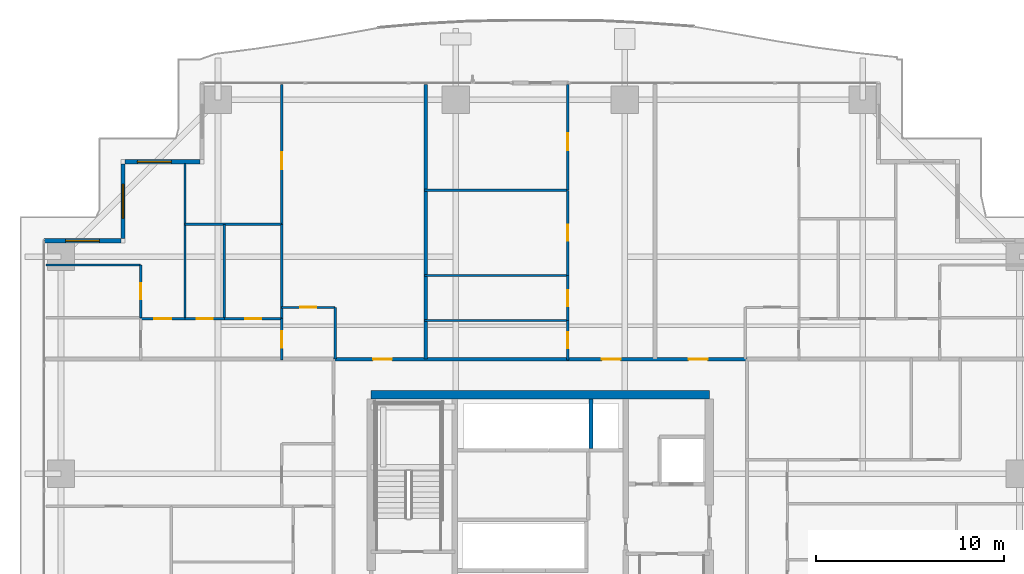
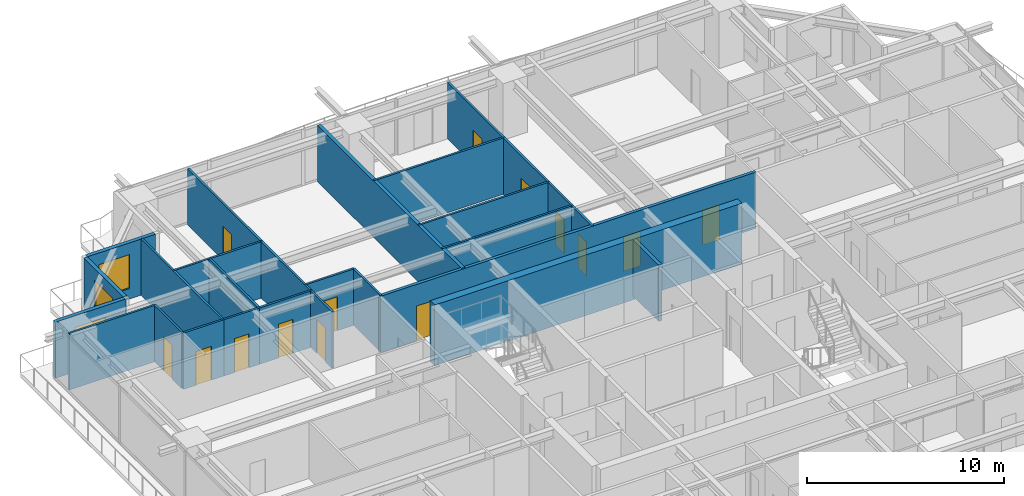
# One storey, part 30 of 38: 27 walls, 14 doors, 3 windows, 17 openings.
"""IFC4 building model written with IfcOpenShell, lengths in metres."""

from ifc_helpers import new_model, si_unit, direction, frame, frame_2d, origin, place, context, subcontext, project, spatial, rectangle, extrude, source, transform, mapped, material, layer, layer_set, type_object, element, fill, save


model = new_model("IFC4")

# Units and contexts
model_context = context("Model", 3, precision=1e-05, world=origin(), true_north=direction((0.0, 1.0)))
body_context = subcontext(model_context, "Body", "Model", "MODEL_VIEW")
ifc_project = project(units=[si_unit("LENGTHUNIT", "METRE"), si_unit("AREAUNIT", "SQUARE_METRE"), si_unit("VOLUMEUNIT", "CUBIC_METRE"), si_unit("PLANEANGLEUNIT", "RADIAN"), si_unit("MASSUNIT", "GRAM", prefix="KILO")], contexts=[model_context])

# Site, building, storey
site_placement = place(None, origin())
site = spatial("IfcSite", under=ifc_project, at=site_placement, CompositionType="ELEMENT")
building_placement = place(site_placement, origin())
building = spatial("IfcBuilding", under=site, at=building_placement, Name="Serunith Strait Residences", CompositionType="ELEMENT")
storey_placement = place(building_placement, frame((0.0, 0.0, 30.449951171875)))
storey = spatial("IfcBuildingStorey", under=building, at=storey_placement, Name="L06", CompositionType="ELEMENT", Elevation=30.449951171875)

# Wall, opening, window
ifc_material_1 = material(Name="Pale-Champagne Aluminium Insulated Panel", Category="aluminium")
ifc_layer_1 = layer(ifc_material_1, 0.219970703125, Name="Pale-Champagne Aluminium Insulated Panel")
ifc_layer_set_1 = layer_set([ifc_layer_1], Name="Pale-Champagne Aluminium Insulated Panel")
wall_type_1 = type_object("IfcWallType", Name="EW-ALUM-220", PredefinedType="ELEMENTEDWALL", material=ifc_layer_set_1)
wall_1_placement = place(storey_placement, frame((14.2900390625, 46.0, 0.0), z_axis=(0.0, 0.0, 1.0), x_axis=(-1.0, 0.0, 0.0)))
wall_1 = element("IfcWall", 1, at=wall_1_placement, inside=storey, type_object=wall_type_1, Name="L06 Girih Serrated Corner Wall 13", PredefinedType="ELEMENTEDWALL", context=body_context, shape_type="SweptSolid", body=[
    extrude(rectangle(XDim=3.97998046875, YDim=0.219970703125, at=frame_2d((1.989990234375, 0.0))), origin(), (0.0, 0.0, 1.0), 3.47509765625),
])
opening_1_placement = place(wall_1_placement, frame((1.52587890625, 0.0, 0.64990234375)))
opening_1 = element("IfcOpeningElement", 2, at=opening_1_placement, cuts=wall_1, Name="Opening W-01", PredefinedType="OPENING", context=body_context, shape_type="SweptSolid", body=[
    extrude(rectangle(XDim=1.800048828125, YDim=2.10009765625, at=frame_2d((0.89990234375, 1.050048828125))), frame((0.0, 0.1201171875, 0.0), z_axis=(0.0, -1.0, 0.0), x_axis=(1.0, 0.0, 0.0)), (0.0, 0.0, 1.0), 0.239990234375),
])
ifc_material_2 = material(Name="Ceramic-Fritted Operable Aluminium Window Glass", Category="aluminium")
window_type = type_object("IfcWindowType", Name="WIN-C1", PartitioningType="DOUBLE_PANEL_VERTICAL", PredefinedType="WINDOW", material=ifc_material_2)
shared_shape_1 = source(origin(), body_context, "Body", "SweptSolid", [
    extrude(rectangle(XDim=1.800048828125, YDim=2.10009765625, at=frame_2d((0.89990234375, 1.050048828125))), frame((0.0, 0.030029296875, 0.0), z_axis=(0.0, -1.0, 0.0), x_axis=(1.0, 0.0, 0.0)), (0.0, 0.0, 1.0), 0.06005859375),
])
window_1_placement = place(opening_1_placement, origin())
window_1 = element("IfcWindow", 3, at=window_1_placement, inside=storey, type_object=window_type, Name="L06 Corner Operable Fritted Window 13", OverallHeight=2.10009765625, OverallWidth=1.800048828125, PartitioningType="SINGLE_PANEL", PredefinedType="WINDOW", context=body_context, shape_type="MappedRepresentation", body=[
    mapped(shared_shape_1, transform((0.0, 0.0, 0.0), scale=1.0)),
])
fill(opening_1, window_1)

wall_2_placement = place(storey_placement, frame((10.199951171875, 45.889892578125, 0.0), z_axis=(0.0, 0.0, 1.0), x_axis=(0.0, -1.0, 0.0)))
wall_2 = element("IfcWall", 4, at=wall_2_placement, inside=storey, type_object=wall_type_1, Name="L06 Girih Serrated Corner Wall 14", PredefinedType="ELEMENTEDWALL", context=body_context, shape_type="SweptSolid", body=[
    extrude(rectangle(XDim=3.97998046875, YDim=0.219970703125, at=frame_2d((1.989990234375, 0.0))), origin(), (0.0, 0.0, 1.0), 3.47509765625),
])
opening_2_placement = place(wall_2_placement, frame((1.090087890625, 0.0, 0.64990234375)))
opening_2 = element("IfcOpeningElement", 5, at=opening_2_placement, cuts=wall_2, Name="Opening W-01", PredefinedType="OPENING", context=body_context, shape_type="SweptSolid", body=[
    extrude(rectangle(XDim=1.800048828125, YDim=2.10009765625, at=frame_2d((0.89990234375, 1.050048828125))), frame((0.0, 0.1201171875, 0.0), z_axis=(0.0, -1.0, 0.0), x_axis=(1.0, 0.0, 0.0)), (0.0, 0.0, 1.0), 0.239990234375),
])
window_2_placement = place(opening_2_placement, origin())
window_2 = element("IfcWindow", 6, at=window_2_placement, inside=storey, type_object=window_type, Name="L06 Corner Operable Fritted Window 14", OverallHeight=2.10009765625, OverallWidth=1.800048828125, PartitioningType="SINGLE_PANEL", PredefinedType="WINDOW", context=body_context, shape_type="MappedRepresentation", body=[
    mapped(shared_shape_1, transform((0.0, 0.0, 0.0), scale=1.0)),
])
fill(opening_2, window_2)

wall_3_placement = place(storey_placement, frame((10.090087890625, 41.800048828125, 0.0), z_axis=(0.0, 0.0, 1.0), x_axis=(-1.0, 0.0, 0.0)))
wall_3 = element("IfcWall", 7, at=wall_3_placement, inside=storey, type_object=wall_type_1, Name="L06 Girih Serrated Corner Wall 15", PredefinedType="ELEMENTEDWALL", context=body_context, shape_type="SweptSolid", body=[
    extrude(rectangle(XDim=4.090087890625, YDim=0.219970703125, at=frame_2d((2.044921875, 0.0))), origin(), (0.0, 0.0, 1.0), 3.47509765625),
])
opening_3_placement = place(wall_3_placement, frame((1.14501953125, 0.0, 0.64990234375)))
opening_3 = element("IfcOpeningElement", 8, at=opening_3_placement, cuts=wall_3, Name="Opening W-01", PredefinedType="OPENING", context=body_context, shape_type="SweptSolid", body=[
    extrude(rectangle(XDim=1.800048828125, YDim=2.10009765625, at=frame_2d((0.89990234375, 1.050048828125))), frame((0.0, 0.1201171875, 0.0), z_axis=(0.0, -1.0, 0.0), x_axis=(1.0, 0.0, 0.0)), (0.0, 0.0, 1.0), 0.239990234375),
])
window_3_placement = place(opening_3_placement, origin())
window_3 = element("IfcWindow", 9, at=window_3_placement, inside=storey, type_object=window_type, Name="L06 Corner Operable Fritted Window 15", OverallHeight=2.10009765625, OverallWidth=1.800048828125, PartitioningType="SINGLE_PANEL", PredefinedType="WINDOW", context=body_context, shape_type="MappedRepresentation", body=[
    mapped(shared_shape_1, transform((0.0, 0.0, 0.0), scale=1.0)),
])
fill(opening_3, window_3)

# Wall, openings, doors
ifc_material_3 = material(Name="Fire-rated acoustic gypsum partition")
ifc_layer_2 = layer(ifc_material_3, 0.179931640625, Name="Fire-rated acoustic gypsum partition")
ifc_layer_set_2 = layer_set([ifc_layer_2], Name="Fire-rated acoustic gypsum partition")
wall_type_2 = type_object("IfcWallType", Name="IW-CORR-180", PredefinedType="PARTITIONING", material=ifc_layer_set_2)
wall_4_placement = place(storey_placement, frame((21.402099609375, 35.5, 0.0), z_axis=(0.0, 0.0, 1.0), x_axis=(1.0, 0.0, 0.0)))
wall_4 = element("IfcWall", 10, at=wall_4_placement, inside=storey, type_object=wall_type_2, Name="L06 Partition Wall 023", PredefinedType="PARTITIONING", context=body_context, shape_type="SweptSolid", body=[
    extrude(rectangle(XDim=21.995849609375, YDim=0.179931640625, at=frame_2d((10.998046875, 0.0))), origin(), (0.0, 0.0, 1.0), 3.489990234375),
])
opening_4_placement = place(wall_4_placement, frame((2.10009765625, 0.0, 0.0)))
opening_4 = element("IfcOpeningElement", 11, at=opening_4_placement, cuts=wall_4, Name="Opening D-APT1000", PredefinedType="OPENING", context=body_context, shape_type="SweptSolid", body=[
    extrude(rectangle(XDim=1.0, YDim=2.14990234375, at=frame_2d((0.5, 1.074951171875))), frame((0.0, 0.10009765625, 0.0), z_axis=(0.0, -1.0, 0.0), x_axis=(1.0, 0.0, 0.0)), (0.0, 0.0, 1.0), 0.199951171875),
])
opening_5_placement = place(wall_4_placement, frame((14.277099609375, 0.0, 0.0)))
opening_5 = element("IfcOpeningElement", 12, at=opening_5_placement, cuts=wall_4, Name="Opening D-APT1000", PredefinedType="OPENING", context=body_context, shape_type="SweptSolid", body=[
    extrude(rectangle(XDim=1.0, YDim=2.14990234375, at=frame_2d((0.5, 1.074951171875))), frame((0.0, 0.10009765625, 0.0), z_axis=(0.0, -1.0, 0.0), x_axis=(1.0, 0.0, 0.0)), (0.0, 0.0, 1.0), 0.199951171875),
])
opening_6_placement = place(wall_4_placement, frame((18.89599609375, 0.0, 0.0)))
opening_6 = element("IfcOpeningElement", 13, at=opening_6_placement, cuts=wall_4, Name="Opening D-APT1000", PredefinedType="OPENING", context=body_context, shape_type="SweptSolid", body=[
    extrude(rectangle(XDim=1.0, YDim=2.14990234375, at=frame_2d((0.5, 1.074951171875))), frame((0.0, 0.10009765625, 0.0), z_axis=(0.0, -1.0, 0.0), x_axis=(1.0, 0.0, 0.0)), (0.0, 0.0, 1.0), 0.199951171875),
])
ifc_material_4 = material(Name="Solid timber engineered fire door", Category="wood")
door_type_1 = type_object("IfcDoorType", Name="ID-APT-1000", OperationType="NOTDEFINED", PredefinedType="DOOR", material=ifc_material_4)
shared_shape_2 = source(origin(), body_context, "Body", "SweptSolid", [
    extrude(rectangle(XDim=1.0, YDim=2.14990234375, at=frame_2d((0.5, 1.074951171875))), frame((0.0, 0.02490234375, 0.0), z_axis=(0.0, -1.0, 0.0), x_axis=(1.0, 0.0, 0.0)), (0.0, 0.0, 1.0), 0.050048828125),
])
door_1_placement = place(opening_4_placement, origin())
door_1 = element("IfcDoor", 14, at=door_1_placement, inside=storey, type_object=door_type_1, Name="L06 Unit 04 Entrance Door", OperationType="SINGLE_SWING_RIGHT", OverallHeight=2.14990234375, OverallWidth=1.0, PredefinedType="DOOR", context=body_context, shape_type="MappedRepresentation", body=[
    mapped(shared_shape_2, transform((0.0, 0.0, 0.0), scale=1.0)),
])
fill(opening_4, door_1)
door_2_placement = place(opening_5_placement, origin())
door_2 = element("IfcDoor", 15, at=door_2_placement, inside=storey, type_object=door_type_1, Name="L06 Unit 05 Entrance Door", OperationType="SINGLE_SWING_LEFT", OverallHeight=2.14990234375, OverallWidth=1.0, PredefinedType="DOOR", context=body_context, shape_type="MappedRepresentation", body=[
    mapped(shared_shape_2, transform((0.0, 0.0, 0.0), scale=1.0)),
])
fill(opening_5, door_2)
door_3_placement = place(opening_6_placement, origin())
door_3 = element("IfcDoor", 16, at=door_3_placement, inside=storey, type_object=door_type_1, Name="L06 Unit 06 Entrance Door", OperationType="SINGLE_SWING_RIGHT", OverallHeight=2.14990234375, OverallWidth=1.0, PredefinedType="DOOR", context=body_context, shape_type="MappedRepresentation", body=[
    mapped(shared_shape_2, transform((0.0, 0.0, 0.0), scale=1.0)),
])
fill(opening_6, door_3)

# Wall, opening, door
ifc_material_5 = material(Name="Lightweight steel-stud gypsum partition", Category="steel")
ifc_layer_3 = layer(ifc_material_5, 0.1201171875, Name="Lightweight steel-stud gypsum partition")
ifc_layer_set_3 = layer_set([ifc_layer_3], Name="Lightweight steel-stud gypsum partition")
wall_type_3 = type_object("IfcWallType", Name="IW-PART-120", PredefinedType="PARTITIONING", material=ifc_layer_set_3)
wall_5_placement = place(storey_placement, frame((18.639892578125, 38.25, 0.0), z_axis=(0.0, 0.0, 1.0), x_axis=(1.0, 0.0, 0.0)))
wall_5 = element("IfcWall", 17, at=wall_5_placement, inside=storey, type_object=wall_type_3, Name="L06 Partition Wall 063", PredefinedType="PARTITIONING", context=body_context, shape_type="SweptSolid", body=[
    extrude(rectangle(XDim=2.85009765625, YDim=0.1201171875, at=frame_2d((1.425048828125, 0.0))), origin(), (0.0, 0.0, 1.0), 3.489990234375),
])
opening_7_placement = place(wall_5_placement, frame((1.0, 0.0, 0.0)))
opening_7 = element("IfcOpeningElement", 18, at=opening_7_placement, cuts=wall_5, Name="Opening D-RM850", PredefinedType="OPENING", context=body_context, shape_type="SweptSolid", body=[
    extrude(rectangle(XDim=0.85009765625, YDim=2.10009765625, at=frame_2d((0.425048828125, 1.050048828125))), frame((0.0, 0.070068359375, 0.0), z_axis=(0.0, -1.0, 0.0), x_axis=(1.0, 0.0, 0.0)), (0.0, 0.0, 1.0), 0.14013671875),
])
ifc_material_6 = material(Name="Engineered timber flush study and kitchen door", Category="wood")
door_type_2 = type_object("IfcDoorType", Name="ID-ROOM-850", OperationType="NOTDEFINED", PredefinedType="DOOR", material=ifc_material_6)
shared_shape_3 = source(origin(), body_context, "Body", "SweptSolid", [
    extrude(rectangle(XDim=0.85009765625, YDim=2.10009765625, at=frame_2d((0.425048828125, 1.050048828125))), frame((0.0, 0.02490234375, 0.0), z_axis=(0.0, -1.0, 0.0), x_axis=(1.0, 0.0, 0.0)), (0.0, 0.0, 1.0), 0.050048828125),
])
door_4_placement = place(opening_7_placement, origin())
door_4 = element("IfcDoor", 19, at=door_4_placement, inside=storey, type_object=door_type_2, Name="L06 Kitchen 0604 Door", OperationType="SINGLE_SWING_LEFT", OverallHeight=2.10009765625, OverallWidth=0.85009765625, PredefinedType="DOOR", context=body_context, shape_type="MappedRepresentation", body=[
    mapped(shared_shape_3, transform((0.0, 0.0, 0.0), scale=1.0)),
])
fill(opening_7, door_4)

# Wall
wall_6_placement = place(storey_placement, frame((21.489990234375, 38.25, 0.0), z_axis=(0.0, 0.0, 1.0), x_axis=(0.0, -1.0, 0.0)))
element("IfcWall", 20, at=wall_6_placement, inside=storey, type_object=wall_type_3, Name="L06 Partition Wall 064", PredefinedType="PARTITIONING", context=body_context, shape_type="SweptSolid", body=[
    extrude(rectangle(XDim=2.748046875, YDim=0.1201171875, at=frame_2d((1.3740234375, 0.0))), origin(), (0.0, 0.0, 1.0), 3.489990234375),
])

# Wall, opening, door
wall_7_placement = place(storey_placement, frame((18.639892578125, 37.64990234375, 0.0), z_axis=(0.0, 0.0, 1.0), x_axis=(0.0, -1.0, 0.0)))
wall_7 = element("IfcWall", 21, at=wall_7_placement, inside=storey, type_object=wall_type_3, Name="L06 Partition Wall 065", PredefinedType="PARTITIONING", context=body_context, shape_type="SweptSolid", body=[
    extrude(rectangle(XDim=2.2099609375, YDim=0.1201171875, at=frame_2d((1.10498046875, 0.0))), origin(), (0.0, 0.0, 1.0), 3.489990234375),
])
opening_8_placement = place(wall_7_placement, frame((0.655029296875, 0.0, 0.0)))
opening_8 = element("IfcOpeningElement", 22, at=opening_8_placement, cuts=wall_7, Name="Opening D-RM900", PredefinedType="OPENING", context=body_context, shape_type="SweptSolid", body=[
    extrude(rectangle(XDim=0.89990234375, YDim=2.10009765625, at=frame_2d((0.449951171875, 1.050048828125))), frame((0.0, 0.070068359375, 0.0), z_axis=(0.0, -1.0, 0.0), x_axis=(1.0, 0.0, 0.0)), (0.0, 0.0, 1.0), 0.14013671875),
])
ifc_material_7 = material(Name="Engineered timber flush bedroom door", Category="wood")
door_type_3 = type_object("IfcDoorType", Name="ID-ROOM-900", OperationType="NOTDEFINED", PredefinedType="DOOR", material=ifc_material_7)
shared_shape_4 = source(origin(), body_context, "Body", "SweptSolid", [
    extrude(rectangle(XDim=0.89990234375, YDim=2.10009765625, at=frame_2d((0.449951171875, 1.050048828125))), frame((0.0, 0.02490234375, 0.0), z_axis=(0.0, -1.0, 0.0), x_axis=(1.0, 0.0, 0.0)), (0.0, 0.0, 1.0), 0.050048828125),
])
door_5_placement = place(opening_8_placement, origin())
door_5 = element("IfcDoor", 23, at=door_5_placement, inside=storey, type_object=door_type_3, Name="L06 Hall W 0604 Door", OperationType="SINGLE_SWING_RIGHT", OverallHeight=2.10009765625, OverallWidth=0.89990234375, PredefinedType="DOOR", context=body_context, shape_type="MappedRepresentation", body=[
    mapped(shared_shape_4, transform((0.0, 0.0, 0.0), scale=1.0)),
])
fill(opening_8, door_5)

wall_8_placement = place(storey_placement, frame((18.639892578125, 50.10498046875, 0.0), z_axis=(0.0, 0.0, 1.0), x_axis=(0.0, -1.0, 0.0)))
wall_8 = element("IfcWall", 24, at=wall_8_placement, inside=storey, type_object=wall_type_3, Name="L06 Partition Wall 066", PredefinedType="PARTITIONING", context=body_context, shape_type="SweptSolid", body=[
    extrude(rectangle(XDim=7.432861328125, YDim=0.1201171875, at=frame_2d((3.71630859375, 0.0))), origin(), (0.0, 0.0, 1.0), 3.489990234375),
])
opening_9_placement = place(wall_8_placement, frame((3.593017578125, 0.0, 0.0)))
opening_9 = element("IfcOpeningElement", 25, at=opening_9_placement, cuts=wall_8, Name="Opening D-RM900", PredefinedType="OPENING", context=body_context, shape_type="SweptSolid", body=[
    extrude(rectangle(XDim=0.89990234375, YDim=2.10009765625, at=frame_2d((0.449951171875, 1.050048828125))), frame((0.0, 0.070068359375, 0.0), z_axis=(0.0, -1.0, 0.0), x_axis=(1.0, 0.0, 0.0)), (0.0, 0.0, 1.0), 0.14013671875),
])
door_6_placement = place(opening_9_placement, origin())
door_6 = element("IfcDoor", 26, at=door_6_placement, inside=storey, type_object=door_type_3, Name="L06 Formal Dining Room 1 0604 Door", OperationType="SINGLE_SWING_LEFT", OverallHeight=2.10009765625, OverallWidth=0.89990234375, PredefinedType="DOOR", context=body_context, shape_type="MappedRepresentation", body=[
    mapped(shared_shape_4, transform((0.0, 0.0, 0.0), scale=1.0)),
])
fill(opening_9, door_6)

# Walls
wall_9_placement = place(storey_placement, frame((18.639892578125, 42.669921875, 0.0), z_axis=(0.0, 0.0, 1.0), x_axis=(0.0, -1.0, 0.0)))
element("IfcWall", 27, at=wall_9_placement, inside=storey, type_object=wall_type_3, Name="L06 Partition Wall 067", PredefinedType="PARTITIONING", context=body_context, shape_type="SweptSolid", body=[
    extrude(rectangle(XDim=5.017822265625, YDim=0.1201171875, at=frame_2d((2.5087890625, 0.0))), origin(), (0.0, 0.0, 1.0), 3.489990234375),
])
wall_10_placement = place(storey_placement, frame((13.489990234375, 42.672119140625, 0.0), z_axis=(0.0, 0.0, 1.0), x_axis=(1.0, 0.0, 0.0)))
element("IfcWall", 28, at=wall_10_placement, inside=storey, type_object=wall_type_3, Name="L06 Partition Wall 068", PredefinedType="PARTITIONING", context=body_context, shape_type="SweptSolid", body=[
    extrude(rectangle(XDim=5.14990234375, YDim=0.1201171875, at=frame_2d((2.574951171875, 0.0))), origin(), (0.0, 0.0, 1.0), 3.489990234375),
])
wall_11_placement = place(storey_placement, frame((13.489990234375, 45.905029296875, 0.0), z_axis=(0.0, 0.0, 1.0), x_axis=(0.0, -1.0, 0.0)))
element("IfcWall", 29, at=wall_11_placement, inside=storey, type_object=wall_type_3, Name="L06 Partition Wall 069", PredefinedType="PARTITIONING", context=body_context, shape_type="SweptSolid", body=[
    extrude(rectangle(XDim=8.255126953125, YDim=0.1201171875, at=frame_2d((4.12744140625, 0.0))), origin(), (0.0, 0.0, 1.0), 3.489990234375),
])
wall_12_placement = place(storey_placement, frame((15.590087890625, 42.672119140625, 0.0), z_axis=(0.0, 0.0, 1.0), x_axis=(0.0, -1.0, 0.0)))
element("IfcWall", 30, at=wall_12_placement, inside=storey, type_object=wall_type_3, Name="L06 Partition Wall 070", PredefinedType="PARTITIONING", context=body_context, shape_type="SweptSolid", body=[
    extrude(rectangle(XDim=5.022216796875, YDim=0.1201171875, at=frame_2d((2.51123046875, 0.0))), origin(), (0.0, 0.0, 1.0), 3.489990234375),
])

# Wall, opening, door
wall_13_placement = place(storey_placement, frame((13.489990234375, 37.64990234375, 0.0), z_axis=(0.0, 0.0, 1.0), x_axis=(1.0, 0.0, 0.0)))
wall_13 = element("IfcWall", 31, at=wall_13_placement, inside=storey, type_object=wall_type_3, Name="L06 Partition Wall 071", PredefinedType="PARTITIONING", context=body_context, shape_type="SweptSolid", body=[
    extrude(rectangle(XDim=2.10009765625, YDim=0.1201171875, at=frame_2d((1.050048828125, 0.0))), origin(), (0.0, 0.0, 1.0), 3.489990234375),
])
opening_10_placement = place(wall_13_placement, frame((0.625, 0.0, 0.0)))
opening_10 = element("IfcOpeningElement", 32, at=opening_10_placement, cuts=wall_13, Name="Opening D-BTH850", PredefinedType="OPENING", context=body_context, shape_type="SweptSolid", body=[
    extrude(rectangle(XDim=0.85009765625, YDim=2.10009765625, at=frame_2d((0.425048828125, 1.050048828125))), frame((0.0, 0.070068359375, 0.0), z_axis=(0.0, -1.0, 0.0), x_axis=(1.0, 0.0, 0.0)), (0.0, 0.0, 1.0), 0.14013671875),
])
ifc_material_8 = material(Name="Moisture-resistant timber bathroom door", Category="wood")
door_type_4 = type_object("IfcDoorType", Name="ID-BATH-850", OperationType="NOTDEFINED", PredefinedType="DOOR", material=ifc_material_8)
door_7_placement = place(opening_10_placement, origin())
door_7 = element("IfcDoor", 33, at=door_7_placement, inside=storey, type_object=door_type_4, Name="L06 Bathroom 0604 Door", OperationType="SINGLE_SWING_RIGHT", OverallHeight=2.10009765625, OverallWidth=0.85009765625, PredefinedType="DOOR", context=body_context, shape_type="MappedRepresentation", body=[
    mapped(shared_shape_3, transform((0.0, 0.0, 0.0), scale=1.0)),
])
fill(opening_10, door_7)

wall_14_placement = place(storey_placement, frame((15.592041015625, 37.64990234375, 0.0), z_axis=(0.0, 0.0, 1.0), x_axis=(1.0, 0.0, 0.0)))
wall_14 = element("IfcWall", 34, at=wall_14_placement, inside=storey, type_object=wall_type_3, Name="L06 Partition Wall 072", PredefinedType="PARTITIONING", context=body_context, shape_type="SweptSolid", body=[
    extrude(rectangle(XDim=3.0478515625, YDim=0.1201171875, at=frame_2d((1.52392578125, 0.0))), origin(), (0.0, 0.0, 1.0), 3.489990234375),
])
opening_11_placement = place(wall_14_placement, frame((1.09912109375, 0.0, 0.0)))
opening_11 = element("IfcOpeningElement", 35, at=opening_11_placement, cuts=wall_14, Name="Opening D-RM850", PredefinedType="OPENING", context=body_context, shape_type="SweptSolid", body=[
    extrude(rectangle(XDim=0.85009765625, YDim=2.10009765625, at=frame_2d((0.425048828125, 1.050048828125))), frame((0.0, 0.070068359375, 0.0), z_axis=(0.0, -1.0, 0.0), x_axis=(1.0, 0.0, 0.0)), (0.0, 0.0, 1.0), 0.14013671875),
])
door_8_placement = place(opening_11_placement, origin())
door_8 = element("IfcDoor", 36, at=door_8_placement, inside=storey, type_object=door_type_2, Name="L06 Laundry Room 0604 Door", OperationType="SINGLE_SWING_LEFT", OverallHeight=2.10009765625, OverallWidth=0.85009765625, PredefinedType="DOOR", context=body_context, shape_type="MappedRepresentation", body=[
    mapped(shared_shape_3, transform((0.0, 0.0, 0.0), scale=1.0)),
])
fill(opening_11, door_8)

wall_15_placement = place(storey_placement, frame((11.139892578125, 37.64990234375, 0.0), z_axis=(0.0, 0.0, 1.0), x_axis=(1.0, 0.0, 0.0)))
wall_15 = element("IfcWall", 37, at=wall_15_placement, inside=storey, type_object=wall_type_3, Name="L06 Partition Wall 073", PredefinedType="PARTITIONING", context=body_context, shape_type="SweptSolid", body=[
    extrude(rectangle(XDim=2.34814453125, YDim=0.1201171875, at=frame_2d((1.174072265625, 0.0))), origin(), (0.0, 0.0, 1.0), 3.489990234375),
])
opening_12_placement = place(wall_15_placement, frame((0.72412109375, 0.0, 0.0)))
opening_12 = element("IfcOpeningElement", 38, at=opening_12_placement, cuts=wall_15, Name="Opening D-RM900", PredefinedType="OPENING", context=body_context, shape_type="SweptSolid", body=[
    extrude(rectangle(XDim=0.89990234375, YDim=2.10009765625, at=frame_2d((0.449951171875, 1.050048828125))), frame((0.0, 0.070068359375, 0.0), z_axis=(0.0, -1.0, 0.0), x_axis=(1.0, 0.0, 0.0)), (0.0, 0.0, 1.0), 0.14013671875),
])
door_9_placement = place(opening_12_placement, origin())
door_9 = element("IfcDoor", 39, at=door_9_placement, inside=storey, type_object=door_type_3, Name="L06 Master Bedroom W 0604 Door", OperationType="SINGLE_SWING_RIGHT", OverallHeight=2.10009765625, OverallWidth=0.89990234375, PredefinedType="DOOR", context=body_context, shape_type="MappedRepresentation", body=[
    mapped(shared_shape_4, transform((0.0, 0.0, 0.0), scale=1.0)),
])
fill(opening_12, door_9)

# Wall
wall_16_placement = place(storey_placement, frame((6.094970703125, 40.506103515625, 0.0), z_axis=(0.0, 0.0, 1.0), x_axis=(1.0, 0.0, 0.0)))
element("IfcWall", 40, at=wall_16_placement, inside=storey, type_object=wall_type_3, Name="L06 Partition Wall 074", PredefinedType="PARTITIONING", context=body_context, shape_type="SweptSolid", body=[
    extrude(rectangle(XDim=5.044921875, YDim=0.1201171875, at=frame_2d((2.5224609375, 0.0))), origin(), (0.0, 0.0, 1.0), 3.489990234375),
])

# Wall, opening, door
wall_17_placement = place(storey_placement, frame((11.139892578125, 40.506103515625, 0.0), z_axis=(0.0, 0.0, 1.0), x_axis=(0.0, -1.0, 0.0)))
wall_17 = element("IfcWall", 41, at=wall_17_placement, inside=storey, type_object=wall_type_3, Name="L06 Partition Wall 076", PredefinedType="PARTITIONING", context=body_context, shape_type="SweptSolid", body=[
    extrude(rectangle(XDim=2.80810546875, YDim=0.1201171875, at=frame_2d((1.404052734375, 0.0))), origin(), (0.0, 0.0, 1.0), 3.489990234375),
])
opening_13_placement = place(wall_17_placement, frame((0.97900390625, 0.0, 0.0)))
opening_13 = element("IfcOpeningElement", 42, at=opening_13_placement, cuts=wall_17, Name="Opening D-BTH850", PredefinedType="OPENING", context=body_context, shape_type="SweptSolid", body=[
    extrude(rectangle(XDim=0.85009765625, YDim=2.10009765625, at=frame_2d((0.425048828125, 1.050048828125))), frame((0.0, 0.070068359375, 0.0), z_axis=(0.0, -1.0, 0.0), x_axis=(1.0, 0.0, 0.0)), (0.0, 0.0, 1.0), 0.14013671875),
])
door_10_placement = place(opening_13_placement, origin())
door_10 = element("IfcDoor", 43, at=door_10_placement, inside=storey, type_object=door_type_4, Name="L06 En-suite Bathroom W 0604 Door", OperationType="SINGLE_SWING_LEFT", OverallHeight=2.10009765625, OverallWidth=0.85009765625, PredefinedType="DOOR", context=body_context, shape_type="MappedRepresentation", body=[
    mapped(shared_shape_3, transform((0.0, 0.0, 0.0), scale=1.0)),
])
fill(opening_13, door_10)

wall_18_placement = place(storey_placement, frame((33.860107421875, 50.10498046875, 0.0), z_axis=(0.0, 0.0, 1.0), x_axis=(0.0, -1.0, 0.0)))
wall_18 = element("IfcWall", 44, at=wall_18_placement, inside=storey, type_object=wall_type_3, Name="L06 Partition Wall 078", PredefinedType="PARTITIONING", context=body_context, shape_type="SweptSolid", body=[
    extrude(rectangle(XDim=5.618896484375, YDim=0.1201171875, at=frame_2d((2.8095703125, 0.0))), origin(), (0.0, 0.0, 1.0), 3.489990234375),
])
opening_14_placement = place(wall_18_placement, frame((2.594970703125, 0.0, 0.0)))
opening_14 = element("IfcOpeningElement", 45, at=opening_14_placement, cuts=wall_18, Name="Opening D-RM900", PredefinedType="OPENING", context=body_context, shape_type="SweptSolid", body=[
    extrude(rectangle(XDim=0.89990234375, YDim=2.10009765625, at=frame_2d((0.449951171875, 1.050048828125))), frame((0.0, 0.070068359375, 0.0), z_axis=(0.0, -1.0, 0.0), x_axis=(1.0, 0.0, 0.0)), (0.0, 0.0, 1.0), 0.14013671875),
])
door_11_placement = place(opening_14_placement, origin())
door_11 = element("IfcDoor", 46, at=door_11_placement, inside=storey, type_object=door_type_3, Name="L06 Master Bedroom 1 0605 Door", OperationType="SINGLE_SWING_LEFT", OverallHeight=2.10009765625, OverallWidth=0.89990234375, PredefinedType="DOOR", context=body_context, shape_type="MappedRepresentation", body=[
    mapped(shared_shape_4, transform((0.0, 0.0, 0.0), scale=1.0)),
])
fill(opening_14, door_11)

# Walls
for number, where, z_axis, x_axis, name in (
    (47, (26.239990234375, 44.486083984375, 0.0), (0.0, 0.0, 1.0), (1.0, 0.0, 0.0), "L06 Partition Wall 079"),
    (48, (26.239990234375, 39.944091796875, 0.0), (0.0, 0.0, 1.0), (1.0, 0.0, 0.0), "L06 Partition Wall 080"),
    (49, (26.239990234375, 37.550048828125, 0.0), (0.0, 0.0, 1.0), (1.0, 0.0, 0.0), "L06 Partition Wall 081"),
):
    element("IfcWall", number, at=place(storey_placement, frame(where, z_axis=z_axis, x_axis=x_axis)), inside=storey, type_object=wall_type_3, Name=name, PredefinedType="PARTITIONING", context=body_context, shape_type="SweptSolid", body=[
        extrude(rectangle(XDim=7.6201171875, YDim=0.1201171875, at=frame_2d((3.81005859375, 0.0))), origin(), (0.0, 0.0, 1.0), 3.489990234375),
    ])

# Wall, opening, door
wall_19_placement = place(storey_placement, frame((33.860107421875, 44.48388671875, 0.0), z_axis=(0.0, 0.0, 1.0), x_axis=(0.0, -1.0, 0.0)))
wall_19 = element("IfcWall", 50, at=wall_19_placement, inside=storey, type_object=wall_type_3, Name="L06 Partition Wall 082", PredefinedType="PARTITIONING", context=body_context, shape_type="SweptSolid", body=[
    extrude(rectangle(XDim=4.539794921875, YDim=0.1201171875, at=frame_2d((2.27001953125, 0.0))), origin(), (0.0, 0.0, 1.0), 3.489990234375),
])
opening_15_placement = place(wall_19_placement, frame((1.844970703125, 0.0, 0.0)))
opening_15 = element("IfcOpeningElement", 51, at=opening_15_placement, cuts=wall_19, Name="Opening D-RM850", PredefinedType="OPENING", context=body_context, shape_type="SweptSolid", body=[
    extrude(rectangle(XDim=0.85009765625, YDim=2.10009765625, at=frame_2d((0.425048828125, 1.050048828125))), frame((0.0, 0.070068359375, 0.0), z_axis=(0.0, -1.0, 0.0), x_axis=(1.0, 0.0, 0.0)), (0.0, 0.0, 1.0), 0.14013671875),
])
door_12_placement = place(opening_15_placement, origin())
door_12 = element("IfcDoor", 52, at=door_12_placement, inside=storey, type_object=door_type_2, Name="L06 Dining 0605 Door", OperationType="SINGLE_SWING_RIGHT", OverallHeight=2.10009765625, OverallWidth=0.85009765625, PredefinedType="DOOR", context=body_context, shape_type="MappedRepresentation", body=[
    mapped(shared_shape_3, transform((0.0, 0.0, 0.0), scale=1.0)),
])
fill(opening_15, door_12)

wall_20_placement = place(storey_placement, frame((33.860107421875, 39.94189453125, 0.0), z_axis=(0.0, 0.0, 1.0), x_axis=(0.0, -1.0, 0.0)))
wall_20 = element("IfcWall", 53, at=wall_20_placement, inside=storey, type_object=wall_type_3, Name="L06 Partition Wall 083", PredefinedType="PARTITIONING", context=body_context, shape_type="SweptSolid", body=[
    extrude(rectangle(XDim=2.391845703125, YDim=0.1201171875, at=frame_2d((1.19580078125, 0.0))), origin(), (0.0, 0.0, 1.0), 3.489990234375),
])
opening_16_placement = place(wall_20_placement, frame((0.77099609375, 0.0, 0.0)))
opening_16 = element("IfcOpeningElement", 54, at=opening_16_placement, cuts=wall_20, Name="Opening D-RM850", PredefinedType="OPENING", context=body_context, shape_type="SweptSolid", body=[
    extrude(rectangle(XDim=0.85009765625, YDim=2.10009765625, at=frame_2d((0.425048828125, 1.050048828125))), frame((0.0, 0.070068359375, 0.0), z_axis=(0.0, -1.0, 0.0), x_axis=(1.0, 0.0, 0.0)), (0.0, 0.0, 1.0), 0.14013671875),
])
door_13_placement = place(opening_16_placement, origin())
door_13 = element("IfcDoor", 55, at=door_13_placement, inside=storey, type_object=door_type_2, Name="L06 Kitchen 0605 Door", OperationType="SINGLE_SWING_LEFT", OverallHeight=2.10009765625, OverallWidth=0.85009765625, PredefinedType="DOOR", context=body_context, shape_type="MappedRepresentation", body=[
    mapped(shared_shape_3, transform((0.0, 0.0, 0.0), scale=1.0)),
])
fill(opening_16, door_13)

wall_21_placement = place(storey_placement, frame((33.860107421875, 37.548095703125, 0.0), z_axis=(0.0, 0.0, 1.0), x_axis=(0.0, -1.0, 0.0)))
wall_21 = element("IfcWall", 56, at=wall_21_placement, inside=storey, type_object=wall_type_3, Name="L06 Partition Wall 084", PredefinedType="PARTITIONING", context=body_context, shape_type="SweptSolid", body=[
    extrude(rectangle(XDim=2.108154296875, YDim=0.1201171875, at=frame_2d((1.05419921875, 0.0))), origin(), (0.0, 0.0, 1.0), 3.489990234375),
])
opening_17_placement = place(wall_21_placement, frame((0.62890625, 0.0, 0.0)))
opening_17 = element("IfcOpeningElement", 57, at=opening_17_placement, cuts=wall_21, Name="Opening D-BTH850", PredefinedType="OPENING", context=body_context, shape_type="SweptSolid", body=[
    extrude(rectangle(XDim=0.85009765625, YDim=2.10009765625, at=frame_2d((0.425048828125, 1.050048828125))), frame((0.0, 0.070068359375, 0.0), z_axis=(0.0, -1.0, 0.0), x_axis=(1.0, 0.0, 0.0)), (0.0, 0.0, 1.0), 0.14013671875),
])
door_14_placement = place(opening_17_placement, origin())
door_14 = element("IfcDoor", 58, at=door_14_placement, inside=storey, type_object=door_type_4, Name="L06 Bathroom 0605 Door", OperationType="SINGLE_SWING_RIGHT", OverallHeight=2.10009765625, OverallWidth=0.85009765625, PredefinedType="DOOR", context=body_context, shape_type="MappedRepresentation", body=[
    mapped(shared_shape_3, transform((0.0, 0.0, 0.0), scale=1.0)),
])
fill(opening_17, door_14)

# Walls
ifc_material_9 = material(Name="Twin-stud acoustic gypsum board partition")
ifc_layer_4 = layer(ifc_material_9, 0.199951171875, Name="Twin-stud acoustic gypsum board partition")
ifc_layer_set_4 = layer_set([ifc_layer_4], Name="Twin-stud acoustic gypsum board partition")
wall_type_4 = type_object("IfcWallType", Name="IW-PARTY-200", PredefinedType="PARTITIONING", material=ifc_layer_set_4)
wall_22_placement = place(storey_placement, frame((26.300048828125, 35.5, 0.0), z_axis=(0.0, 0.0, 1.0), x_axis=(0.0, 1.0, 0.0)))
element("IfcWall", 59, at=wall_22_placement, inside=storey, type_object=wall_type_4, Name="L06 Partition Wall 016", PredefinedType="PARTITIONING", context=body_context, shape_type="SweptSolid", body=[
    extrude(rectangle(XDim=14.617919921875, YDim=0.199951171875, at=frame_2d((7.30908203125, 0.0))), origin(), (0.0, 0.0, 1.0), 3.489990234375),
])
ifc_material_10 = material(Name="Autoclaved aerated concrete blockwork", Category="masonry")
ifc_layer_5 = layer(ifc_material_10, 0.199951171875, Name="Autoclaved aerated concrete blockwork")
ifc_layer_set_5 = layer_set([ifc_layer_5], Name="Autoclaved aerated concrete blockwork")
wall_type_5 = type_object("IfcWallType", Name="IW-SHAFT-200", PredefinedType="STANDARD", material=ifc_layer_set_5)
wall_23_placement = place(storey_placement, frame((35.10009765625, 30.75, 0.0), z_axis=(0.0, 0.0, 1.0), x_axis=(0.0, 1.0, 0.0)))
element("IfcWall", 60, at=wall_23_placement, inside=storey, type_object=wall_type_5, Name="L06 SL-1 West Shaft Wall", PredefinedType="STANDARD", context=body_context, shape_type="SweptSolid", body=[
    extrude(rectangle(XDim=2.625, YDim=0.199951171875, at=frame_2d((1.3125, 0.0))), origin(), (0.0, 0.0, 1.0), 3.489990234375),
])
ifc_material_11 = material(Name="Concrete C80/95", Category="concrete")
ifc_layer_6 = layer(ifc_material_11, 0.449951171875, Name="Concrete C80/95")
ifc_layer_set_6 = layer_set([ifc_layer_6], Name="Concrete C80/95")
wall_type_6 = type_object("IfcWallType", Name="SW-450-C80", PredefinedType="SHEAR", material=ifc_layer_set_6)
wall_24_placement = place(storey_placement, frame((41.39990234375, 33.60009765625, -0.260009765625), z_axis=(0.0, 0.0, 1.0), x_axis=(-1.0, 0.0, 0.0)))
element("IfcWall", 61, at=wall_24_placement, inside=storey, type_object=wall_type_6, Name="L06 Core North Shear Wall", PredefinedType="SHEAR", context=body_context, shape_type="SweptSolid", body=[
    extrude(rectangle(XDim=18.0, YDim=0.449951171875, at=frame_2d((9.0, 0.0))), origin(), (0.0, 0.0, 1.0), 3.748046875),
])

save(model, "model.ifc")
